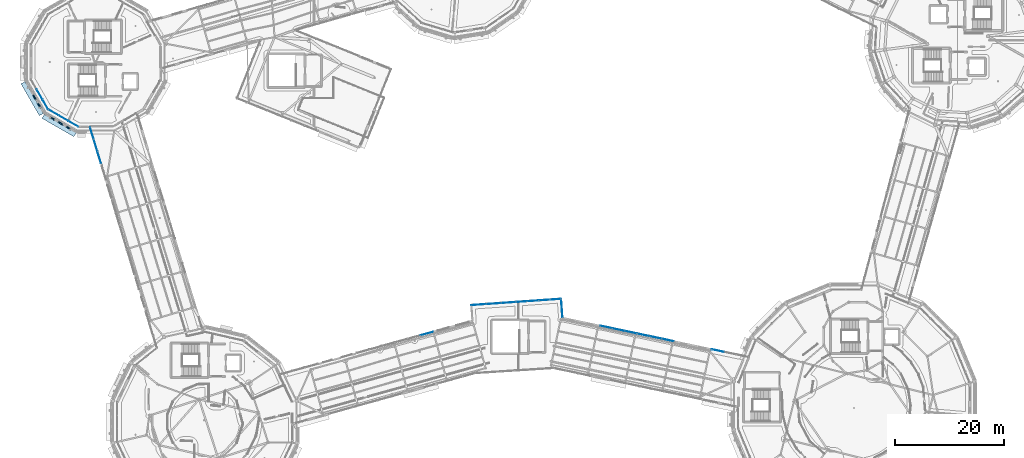
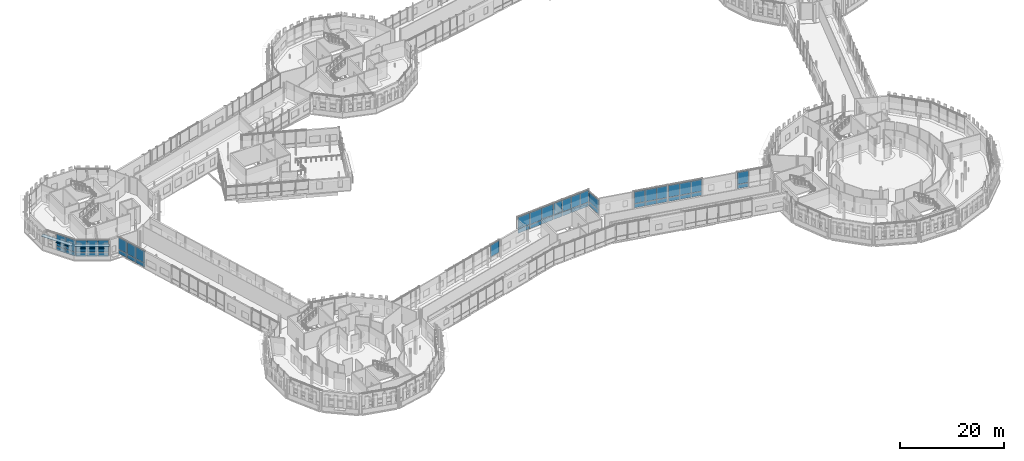
# One storey, part 73 of 125: 54 plates, 10 elements without a shape of their own.
"""IFC4 building model written with IfcOpenShell, lengths in metres."""

import ifcopenshell
import ifcopenshell.guid

model = None  # the IFC model being written
_history = None  # IfcOwnerHistory: only IFC2X3 demands one
_inside = {}  # id of a spatial element -> (the spatial element, [elements in it])
_under = {}  # id of a project, library or spatial element -> (it, [spatial elements below it])
_declared = {}  # id of a project -> (the project, [libraries it declares])
_typed = {}  # id of a type object -> (the type object, [elements of that type])
_made_of = {}  # id of a material, layer set ... -> (it, [elements and type objects made of it])


def new_model(schema):
    """Start an empty IFC model of exactly this schema.

    Asked for "IFC4X3", IfcOpenShell would pick the latest addendum, in which some entities
    have other attributes; the version numbers below select the first issue.
    IFC2X3 requires an IfcOwnerHistory on every rooted entity: one is made here for all.
    """
    global model, _history
    if schema == "IFC4X3":
        model = ifcopenshell.file(schema_version=(4, 3, 0, 0))
    else:
        model = ifcopenshell.file(schema=schema)
    _inside.clear()
    _under.clear()
    _declared.clear()
    _typed.clear()
    _made_of.clear()
    _history = None
    if model.schema == "IFC2X3":
        org = make("IfcOrganization", Name="unknown")
        user = make(
            "IfcPersonAndOrganization",
            ThePerson=make("IfcPerson", FamilyName="unknown"),
            TheOrganization=org,
        )
        app = make(
            "IfcApplication",
            ApplicationDeveloper=org,
            Version="unknown",
            ApplicationFullName="unknown",
            ApplicationIdentifier="unknown",
        )
        _history = make(
            "IfcOwnerHistory",
            OwningUser=user,
            OwningApplication=app,
            ChangeAction="ADDED",
            CreationDate=0,
        )
    return model


def make(cls, **values):
    """One entity of the class cls with the attributes given. An attribute that is None is left unset."""
    return model.create_entity(
        cls, **{name: value for name, value in values.items() if value is not None}
    )


def rooted(cls, **values):
    """An entity with a GlobalId (a new one), such as an element, a storey or a relation."""
    return make(cls, GlobalId=ifcopenshell.guid.new(), OwnerHistory=_history, **values)


def si_unit(unit_type, name, prefix=None):
    """IfcSIUnit, for example si_unit("LENGTHUNIT", "METRE", prefix="MILLI")."""
    return make("IfcSIUnit", UnitType=unit_type, Prefix=prefix, Name=name)


def assignment(units):
    """IfcUnitAssignment: the units of a project."""
    return None if units is None else make("IfcUnitAssignment", Units=units)


def point(xyz):
    """IfcCartesianPoint."""
    return None if xyz is None else make("IfcCartesianPoint", Coordinates=xyz)


def direction(xyz):
    """IfcDirection."""
    return None if xyz is None else make("IfcDirection", DirectionRatios=xyz)


def frame(location, z_axis=None, x_axis=None):
    """IfcAxis2Placement3D, a coordinate frame: its origin and axes. An axis left out is left unset."""
    return make(
        "IfcAxis2Placement3D",
        Location=point(location),
        Axis=direction(z_axis),
        RefDirection=direction(x_axis),
    )


def frame_2d(location, x_axis=None):
    """IfcAxis2Placement2D, a coordinate frame in the plane: its origin and x axis."""
    return make(
        "IfcAxis2Placement2D", Location=point(location), RefDirection=direction(x_axis)
    )


def origin():
    """The frame at (0, 0, 0) with its axes left unset."""
    return frame((0.0, 0.0, 0.0))


def origin_2d():
    """The frame at (0, 0) in the plane with its x axis left unset."""
    return frame_2d((0.0, 0.0))


def place(relative_to, where):
    """IfcLocalPlacement: puts the frame where relative to a parent placement (None: the world)."""
    return make(
        "IfcLocalPlacement", PlacementRelTo=relative_to, RelativePlacement=where
    )


def context(
    kind, dimensions, precision=None, world=None, true_north=None, identifier=None
):
    """IfcGeometricRepresentationContext, for example the 3D "Model" context."""
    return make(
        "IfcGeometricRepresentationContext",
        ContextIdentifier=identifier,
        ContextType=kind,
        CoordinateSpaceDimension=dimensions,
        Precision=precision,
        WorldCoordinateSystem=world,
        TrueNorth=true_north,
    )


def subcontext(parent, identifier, kind, view, scale=None):
    """IfcGeometricRepresentationSubContext, for example "Body" below "Model"."""
    return make(
        "IfcGeometricRepresentationSubContext",
        ContextIdentifier=identifier,
        ContextType=kind,
        ParentContext=parent,
        TargetScale=scale,
        TargetView=view,
    )


def project(units=None, contexts=None):
    """IfcProject with its units and contexts."""
    return rooted(
        "IfcProject",
        Name="project",
        RepresentationContexts=contexts,
        UnitsInContext=assignment(units),
    )


def spatial(cls, under=None, at=None, **own):
    """A site, building, storey or space (cls), placed at a placement, below another one or the project."""
    s = rooted(cls, ObjectPlacement=at, **own)
    if under is not None:
        _under.setdefault(under.id(), (under, []))[1].append(s)
    return s


def profile(cls, at=None, kind="AREA", **sizes):
    """A parametric profile (cls). Its sizes go by their IFC names, for example OverallWidth=200.0."""
    return make(cls, ProfileType=kind, Position=at, **sizes)


def rectangle(**sizes):
    """IfcRectangleProfileDef."""
    return profile("IfcRectangleProfileDef", **sizes)


def extrude(swept, where, along, depth):
    """IfcExtrudedAreaSolid: the profile swept, set in the frame where, extruded along a direction by depth."""
    return make(
        "IfcExtrudedAreaSolid",
        SweptArea=swept,
        Position=where,
        ExtrudedDirection=direction(along),
        Depth=depth,
    )


def shape(context_of_items, identifier, shape_type, items):
    """IfcShapeRepresentation: the items that make up one representation, for example the "Body"."""
    return make(
        "IfcShapeRepresentation",
        ContextOfItems=context_of_items,
        RepresentationIdentifier=identifier,
        RepresentationType=shape_type,
        Items=items,
    )


def material(Name=None, Category=None):
    """IfcMaterial."""
    return make("IfcMaterial", Name=Name, Category=Category)


def layer(
    of_material, thickness, ventilated=None, Name=None, Category=None, Priority=None
):
    """IfcMaterialLayer: one layer of a wall or slab, of a material (None: an air gap)."""
    return make(
        "IfcMaterialLayer",
        Material=of_material,
        LayerThickness=thickness,
        IsVentilated=ventilated,
        Name=Name,
        Category=Category,
        Priority=Priority,
    )


def layer_set(layers, Name=None):
    """IfcMaterialLayerSet."""
    return make("IfcMaterialLayerSet", MaterialLayers=layers, LayerSetName=Name)


def made_of(thing, what):
    """Note that an element or type object is made of a material, layer set ...; save() writes the relation."""
    if what is not None:
        _made_of.setdefault(what.id(), (what, []))[1].append(thing)
    return thing


def type_object(cls, material=None, **own):
    """A type object (cls), such as IfcWallType, which elements share."""
    return made_of(rooted(cls, **own), material)


def element(
    cls,
    number,
    at=None,
    inside=None,
    cuts=None,
    type_object=None,
    material=None,
    context=None,
    identifier="Body",
    shape_type=None,
    held_by="IfcProductDefinitionShape",
    body=None,
    shapes=None,
    **own,
):
    """One element of the class cls, such as IfcWall. Its Tag is "e" and its number.

    at: its placement. inside: the storey or other place that contains it. cuts: it is an
    opening in that element (IfcRelVoidsElement). A single representation is given by context,
    identifier, shape_type and body (its items); several are given by shapes. held_by: the class
    of the entity that holds the representations. save() writes the other relations.
    """
    e = rooted(cls, Tag="e%d" % number, ObjectPlacement=at, **own)
    if body is not None:
        shapes = [shape(context, identifier, shape_type, body)]
    if shapes is not None:
        e.Representation = make(held_by, Representations=shapes)
    if inside is not None:
        _inside.setdefault(inside.id(), (inside, []))[1].append(e)
    if cuts is not None:
        rooted(
            "IfcRelVoidsElement", RelatingBuildingElement=cuts, RelatedOpeningElement=e
        )
    if type_object is not None:
        _typed.setdefault(type_object.id(), (type_object, []))[1].append(e)
    return made_of(e, material)


def aggregate(whole, parts):
    """IfcRelAggregates: a whole, such as a stair, and the parts it consists of."""
    return rooted("IfcRelAggregates", RelatingObject=whole, RelatedObjects=parts)


def save(model, path):
    """Write the relations noted so far, then the file.

    IfcRelAggregates (storeys below a building ...), IfcRelContainedInSpatialStructure (elements
    in a storey), IfcRelDefinesByType, IfcRelAssociatesMaterial and IfcRelDeclares: one each for
    every whole, place, type object, material and project.
    """
    for whole, parts in _under.values():
        aggregate(whole, parts)
    for where, things in _inside.values():
        rooted(
            "IfcRelContainedInSpatialStructure",
            RelatedElements=things,
            RelatingStructure=where,
        )
    for kind, things in _typed.values():
        rooted("IfcRelDefinesByType", RelatedObjects=things, RelatingType=kind)
    for what, things in _made_of.values():
        rooted("IfcRelAssociatesMaterial", RelatedObjects=things, RelatingMaterial=what)
    for by, libraries in _declared.values():
        rooted("IfcRelDeclares", RelatingContext=by, RelatedDefinitions=libraries)
    model.write(path)


model = new_model("IFC4")

# Units and contexts
model_context = context("Model", 3, precision=1e-05, world=origin(), true_north=direction((0.0, 1.0)))
body_context = subcontext(model_context, "Body", "Model", "MODEL_VIEW")
ifc_project = project(units=[si_unit("LENGTHUNIT", "METRE"), si_unit("AREAUNIT", "SQUARE_METRE"), si_unit("VOLUMEUNIT", "CUBIC_METRE"), si_unit("PLANEANGLEUNIT", "RADIAN"), si_unit("MASSUNIT", "GRAM", prefix="KILO")], contexts=[model_context])

# Site, building, storey
site_placement = place(None, origin())
site = spatial("IfcSite", under=ifc_project, at=site_placement, CompositionType="ELEMENT")
building_placement = place(site_placement, origin())
building = spatial("IfcBuilding", under=site, at=building_placement, Name="Wrenclough Park School", CompositionType="ELEMENT")
storey_placement = place(building_placement, frame((0.0, 0.0, 4.199951171875)))
storey = spatial("IfcBuildingStorey", under=building, at=storey_placement, Name="L01", CompositionType="ELEMENT", Elevation=4.199951171875)

# Curtain wall, plates
ifc_material_1 = material(Name="Thermally broken aluminium and low-e glass curtain wall", Category="aluminium")
curtain_wall_type_1 = type_object("IfcCurtainWallType", Name="ENV-CW-13", PredefinedType="USERDEFINED", material=ifc_material_1)
curtain_wall_1_placement = place(storey_placement, origin())
curtain_wall_1 = element("IfcCurtainWall", 1, at=curtain_wall_1_placement, inside=storey, type_object=curtain_wall_type_1, Name="L01 recessed curtain wall assembly 092", ObjectType="CURTAIN WALL", PredefinedType="USERDEFINED")
ifc_material_2 = material(Name="Double-glazed solar-control low-e glass", Category="glass")
ifc_layer_1 = layer(ifc_material_2, 0.02587890625)
ifc_layer_set_1 = layer_set([ifc_layer_1], Name="Double-glazed solar-control low-e glass")
plate_type_1 = type_object("IfcPlateType", Name="ENV-CWP-GL26", PredefinedType="CURTAIN_PANEL", material=ifc_layer_set_1)
plate_1_placement = place(storey_placement, frame((17.127685546875, 71.98095703125, 0.06982421875), z_axis=(0.0, 0.0, 1.0), x_axis=(-0.289988117032, 0.957030246116, 0.0)))
plate_1 = element("IfcPlate", 2, at=plate_1_placement, type_object=plate_type_1, Name="CW-13 panel 1.1", PredefinedType="CURTAIN_PANEL", context=body_context, shape_type="SweptSolid", body=[
    extrude(rectangle(XDim=2.24658203125, YDim=0.02587890625, at=origin_2d()), origin(), (0.0, 0.0, 1.0), 0.945068359375),
])
plate_2_placement = place(storey_placement, frame((17.127685546875, 71.98095703125, 1.0849609375), z_axis=(0.0, 0.0, 1.0), x_axis=(-0.289988117032, 0.957030246116, 0.0)))
plate_2 = element("IfcPlate", 3, at=plate_2_placement, type_object=plate_type_1, Name="CW-13 panel 1.2", PredefinedType="CURTAIN_PANEL", context=body_context, shape_type="SweptSolid", body=[
    extrude(rectangle(XDim=2.24658203125, YDim=0.02587890625, at=origin_2d()), origin(), (0.0, 0.0, 1.0), 2.784912109375),
])
plate_3_placement = place(storey_placement, frame((16.45068359375, 74.21484375, 0.06982421875), z_axis=(0.0, 0.0, 1.0), x_axis=(-0.289988117032, 0.957030246116, 0.0)))
plate_3 = element("IfcPlate", 4, at=plate_3_placement, type_object=plate_type_1, Name="CW-13 panel 2.1", PredefinedType="CURTAIN_PANEL", context=body_context, shape_type="SweptSolid", body=[
    extrude(rectangle(XDim=2.281494140625, YDim=0.02587890625, at=origin_2d()), origin(), (0.0, 0.0, 1.0), 0.945068359375),
])
plate_4_placement = place(storey_placement, frame((16.45068359375, 74.21484375, 1.0849609375), z_axis=(0.0, 0.0, 1.0), x_axis=(-0.289988117032, 0.957030246116, 0.0)))
plate_4 = element("IfcPlate", 5, at=plate_4_placement, type_object=plate_type_1, Name="CW-13 panel 2.2", PredefinedType="CURTAIN_PANEL", context=body_context, shape_type="SweptSolid", body=[
    extrude(rectangle(XDim=2.281494140625, YDim=0.02587890625, at=origin_2d()), origin(), (0.0, 0.0, 1.0), 2.784912109375),
])
plate_5_placement = place(storey_placement, frame((15.77392578125, 76.448486328125, 0.06982421875), z_axis=(0.0, 0.0, 1.0), x_axis=(-0.289988117032, 0.957030246116, 0.0)))
plate_5 = element("IfcPlate", 6, at=plate_5_placement, type_object=plate_type_1, Name="CW-13 panel 3.1", PredefinedType="CURTAIN_PANEL", context=body_context, shape_type="SweptSolid", body=[
    extrude(rectangle(XDim=2.24658203125, YDim=0.02587890625, at=origin_2d()), origin(), (0.0, 0.0, 1.0), 0.945068359375),
])
plate_6_placement = place(storey_placement, frame((15.77392578125, 76.448486328125, 1.0849609375), z_axis=(0.0, 0.0, 1.0), x_axis=(-0.289988117032, 0.957030246116, 0.0)))
plate_6 = element("IfcPlate", 7, at=plate_6_placement, type_object=plate_type_1, Name="CW-13 panel 3.2", PredefinedType="CURTAIN_PANEL", context=body_context, shape_type="SweptSolid", body=[
    extrude(rectangle(XDim=2.24658203125, YDim=0.02587890625, at=origin_2d()), origin(), (0.0, 0.0, 1.0), 2.784912109375),
])
aggregate(curtain_wall_1, [plate_1, plate_2, plate_3, plate_4, plate_5, plate_6])

# Curtain wall, plate
curtain_wall_type_2 = type_object("IfcCurtainWallType", Name="ENV-CW-01", PredefinedType="USERDEFINED", material=ifc_material_1)
curtain_wall_2_placement = place(storey_placement, origin())
curtain_wall_2 = element("IfcCurtainWall", 8, at=curtain_wall_2_placement, inside=storey, type_object=curtain_wall_type_2, Name="L01 recessed curtain wall assembly 144", ObjectType="CURTAIN WALL", PredefinedType="USERDEFINED")
plate_7_placement = place(storey_placement, frame((77.240234375, 39.6943359375, 1.080078125), z_axis=(0.0, 0.0, 1.0), x_axis=(0.963396230426, 0.268081523423, 0.0)))
plate_7 = element("IfcPlate", 9, at=plate_7_placement, type_object=plate_type_1, Name="CW-01 panel 3.2", PredefinedType="CURTAIN_PANEL", context=body_context, shape_type="SweptSolid", body=[
    extrude(rectangle(XDim=2.353271484375, YDim=0.02587890625, at=origin_2d()), origin(), (0.0, 0.0, 1.0), 2.800048828125),
])
aggregate(curtain_wall_2, [plate_7])

# Curtain wall, plates
curtain_wall_type_3 = type_object("IfcCurtainWallType", Name="ENV-CW-05", PredefinedType="USERDEFINED", material=ifc_material_1)
curtain_wall_3_placement = place(storey_placement, origin())
curtain_wall_3 = element("IfcCurtainWall", 10, at=curtain_wall_3_placement, inside=storey, type_object=curtain_wall_type_3, Name="L01 recessed curtain wall assembly 148", ObjectType="CURTAIN WALL", PredefinedType="USERDEFINED")
plate_8_placement = place(storey_placement, frame((110.0498046875, 40.890625, 0.06494140625), z_axis=(0.0, 0.0, 1.0), x_axis=(0.978379013086, -0.206819986347, 0.0)))
plate_8 = element("IfcPlate", 11, at=plate_8_placement, type_object=plate_type_1, Name="CW-05 panel 1.1", PredefinedType="CURTAIN_PANEL", context=body_context, shape_type="SweptSolid", body=[
    extrude(rectangle(XDim=2.2265625, YDim=0.02587890625, at=origin_2d()), origin(), (0.0, 0.0, 1.0), 0.952392578125),
])
plate_9_placement = place(storey_placement, frame((110.0498046875, 40.890625, 1.08251953125), z_axis=(0.0, 0.0, 1.0), x_axis=(0.978379013086, -0.206819986347, 0.0)))
plate_9 = element("IfcPlate", 12, at=plate_9_placement, type_object=plate_type_1, Name="CW-05 panel 1.2", PredefinedType="CURTAIN_PANEL", context=body_context, shape_type="SweptSolid", body=[
    extrude(rectangle(XDim=2.2265625, YDim=0.02587890625, at=origin_2d()), origin(), (0.0, 0.0, 1.0), 2.79248046875),
])
plate_10_placement = place(storey_placement, frame((112.307861328125, 40.413330078125, 0.06494140625), z_axis=(0.0, 0.0, 1.0), x_axis=(0.978379013086, -0.206819986347, 0.0)))
plate_10 = element("IfcPlate", 13, at=plate_10_placement, type_object=plate_type_1, Name="CW-05 panel 2.1", PredefinedType="CURTAIN_PANEL", context=body_context, shape_type="SweptSolid", body=[
    extrude(rectangle(XDim=2.259033203125, YDim=0.02587890625, at=origin_2d()), origin(), (0.0, 0.0, 1.0), 0.952392578125),
])
plate_11_placement = place(storey_placement, frame((112.307861328125, 40.413330078125, 1.08251953125), z_axis=(0.0, 0.0, 1.0), x_axis=(0.978379013086, -0.206819986347, 0.0)))
plate_11 = element("IfcPlate", 14, at=plate_11_placement, type_object=plate_type_1, Name="CW-05 panel 2.2", PredefinedType="CURTAIN_PANEL", context=body_context, shape_type="SweptSolid", body=[
    extrude(rectangle(XDim=2.259033203125, YDim=0.02587890625, at=origin_2d()), origin(), (0.0, 0.0, 1.0), 2.79248046875),
])
plate_12_placement = place(storey_placement, frame((114.565673828125, 39.93603515625, 0.06494140625), z_axis=(0.0, 0.0, 1.0), x_axis=(0.978379013086, -0.206819986347, 0.0)))
plate_12 = element("IfcPlate", 15, at=plate_12_placement, type_object=plate_type_1, Name="CW-05 panel 3.1", PredefinedType="CURTAIN_PANEL", context=body_context, shape_type="SweptSolid", body=[
    extrude(rectangle(XDim=2.2265625, YDim=0.02587890625, at=origin_2d()), origin(), (0.0, 0.0, 1.0), 0.952392578125),
])
plate_13_placement = place(storey_placement, frame((114.565673828125, 39.93603515625, 1.08251953125), z_axis=(0.0, 0.0, 1.0), x_axis=(0.978379013086, -0.206819986347, 0.0)))
plate_13 = element("IfcPlate", 16, at=plate_13_placement, type_object=plate_type_1, Name="CW-05 panel 3.2", PredefinedType="CURTAIN_PANEL", context=body_context, shape_type="SweptSolid", body=[
    extrude(rectangle(XDim=2.2265625, YDim=0.02587890625, at=origin_2d()), origin(), (0.0, 0.0, 1.0), 2.79248046875),
])
aggregate(curtain_wall_3, [plate_8, plate_9, plate_10, plate_11, plate_12, plate_13])

curtain_wall_type_4 = type_object("IfcCurtainWallType", Name="ENV-CW-02", PredefinedType="USERDEFINED", material=ifc_material_1)
curtain_wall_4_placement = place(storey_placement, origin())
curtain_wall_4 = element("IfcCurtainWall", 17, at=curtain_wall_4_placement, inside=storey, type_object=curtain_wall_type_4, Name="L01 recessed curtain wall assembly 145", ObjectType="CURTAIN WALL", PredefinedType="USERDEFINED")
ifc_material_3 = material(Name="Double-glazed acoustic low-e glass", Category="glass")
ifc_layer_2 = layer(ifc_material_3, 0.030029296875)
ifc_layer_set_2 = layer_set([ifc_layer_2], Name="Double-glazed acoustic low-e glass")
plate_type_2 = type_object("IfcPlateType", Name="ENV-CWP-GL30", PredefinedType="CURTAIN_PANEL", material=ifc_layer_set_2)
plate_14_placement = place(storey_placement, frame((86.697509765625, 44.98486328125, 0.06494140625), z_axis=(0.0, 0.0, 1.0), x_axis=(0.997565077022, 0.069741788808, 0.0)))
plate_14 = element("IfcPlate", 18, at=plate_14_placement, type_object=plate_type_2, Name="CW-02 panel 1.1", PredefinedType="CURTAIN_PANEL", context=body_context, shape_type="SweptSolid", body=[
    extrude(rectangle(XDim=2.659912109375, YDim=0.030029296875, at=origin_2d()), origin(), (0.0, 0.0, 1.0), 0.952392578125),
])
plate_15_placement = place(storey_placement, frame((86.697509765625, 44.98486328125, 1.08251953125), z_axis=(0.0, 0.0, 1.0), x_axis=(0.997565077022, 0.069741788808, 0.0)))
plate_15 = element("IfcPlate", 19, at=plate_15_placement, type_object=plate_type_2, Name="CW-02 panel 1.2", PredefinedType="CURTAIN_PANEL", context=body_context, shape_type="SweptSolid", body=[
    extrude(rectangle(XDim=2.659912109375, YDim=0.030029296875, at=origin_2d()), origin(), (0.0, 0.0, 1.0), 2.79248046875),
])
plate_16_placement = place(storey_placement, frame((89.431884765625, 45.176025390625, 0.06494140625), z_axis=(0.0, 0.0, 1.0), x_axis=(0.997565077022, 0.069741788808, 0.0)))
plate_16 = element("IfcPlate", 20, at=plate_16_placement, type_object=plate_type_2, Name="CW-02 panel 2.1", PredefinedType="CURTAIN_PANEL", context=body_context, shape_type="SweptSolid", body=[
    extrude(rectangle(XDim=2.6923828125, YDim=0.030029296875, at=origin_2d()), origin(), (0.0, 0.0, 1.0), 0.952392578125),
])
plate_17_placement = place(storey_placement, frame((89.431884765625, 45.176025390625, 1.08251953125), z_axis=(0.0, 0.0, 1.0), x_axis=(0.997565077022, 0.069741788808, 0.0)))
plate_17 = element("IfcPlate", 21, at=plate_17_placement, type_object=plate_type_2, Name="CW-02 panel 2.2", PredefinedType="CURTAIN_PANEL", context=body_context, shape_type="SweptSolid", body=[
    extrude(rectangle(XDim=2.6923828125, YDim=0.030029296875, at=origin_2d()), origin(), (0.0, 0.0, 1.0), 2.79248046875),
])
plate_18_placement = place(storey_placement, frame((92.16650390625, 45.3671875, 0.06494140625), z_axis=(0.0, 0.0, 1.0), x_axis=(0.997565077022, 0.069741788808, 0.0)))
plate_18 = element("IfcPlate", 22, at=plate_18_placement, type_object=plate_type_2, Name="CW-02 panel 3.1", PredefinedType="CURTAIN_PANEL", context=body_context, shape_type="SweptSolid", body=[
    extrude(rectangle(XDim=2.659912109375, YDim=0.030029296875, at=origin_2d()), origin(), (0.0, 0.0, 1.0), 0.952392578125),
])
plate_19_placement = place(storey_placement, frame((92.16650390625, 45.3671875, 1.08251953125), z_axis=(0.0, 0.0, 1.0), x_axis=(0.997565077022, 0.069741788808, 0.0)))
plate_19 = element("IfcPlate", 23, at=plate_19_placement, type_object=plate_type_2, Name="CW-02 panel 3.2", PredefinedType="CURTAIN_PANEL", context=body_context, shape_type="SweptSolid", body=[
    extrude(rectangle(XDim=2.659912109375, YDim=0.030029296875, at=origin_2d()), origin(), (0.0, 0.0, 1.0), 2.79248046875),
])
aggregate(curtain_wall_4, [plate_14, plate_15, plate_16, plate_17, plate_18, plate_19])

curtain_wall_type_5 = type_object("IfcCurtainWallType", Name="ENV-CW-03", PredefinedType="USERDEFINED", material=ifc_material_1)
curtain_wall_5_placement = place(storey_placement, origin())
curtain_wall_5 = element("IfcCurtainWall", 24, at=curtain_wall_5_placement, inside=storey, type_object=curtain_wall_type_5, Name="L01 recessed curtain wall assembly 146", ObjectType="CURTAIN WALL", PredefinedType="USERDEFINED")
ifc_material_4 = material(Name="Triple-glazed senior-lab low-e glass", Category="glass")
ifc_layer_3 = layer(ifc_material_4, 0.033935546875)
ifc_layer_set_3 = layer_set([ifc_layer_3], Name="Triple-glazed senior-lab low-e glass")
plate_type_3 = type_object("IfcPlateType", Name="ENV-CWP-GL34", PredefinedType="CURTAIN_PANEL", material=ifc_layer_set_3)
plate_20_placement = place(storey_placement, frame((94.61474609375, 45.538330078125, 0.06982421875), z_axis=(0.0, 0.0, 1.0), x_axis=(0.997564294709, 0.069752977869, 0.0)))
plate_20 = element("IfcPlate", 25, at=plate_20_placement, type_object=plate_type_3, Name="CW-03 panel 1.1", PredefinedType="CURTAIN_PANEL", context=body_context, shape_type="SweptSolid", body=[
    extrude(rectangle(XDim=1.962890625, YDim=0.033935546875, at=origin_2d()), origin(), (0.0, 0.0, 1.0), 0.945068359375),
])
plate_21_placement = place(storey_placement, frame((94.61474609375, 45.538330078125, 1.0849609375), z_axis=(0.0, 0.0, 1.0), x_axis=(0.997564294709, 0.069752977869, 0.0)))
plate_21 = element("IfcPlate", 26, at=plate_21_placement, type_object=plate_type_3, Name="CW-03 panel 1.2", PredefinedType="CURTAIN_PANEL", context=body_context, shape_type="SweptSolid", body=[
    extrude(rectangle(XDim=1.962890625, YDim=0.033935546875, at=origin_2d()), origin(), (0.0, 0.0, 1.0), 2.784912109375),
])
plate_22_placement = place(storey_placement, frame((96.660400390625, 45.681396484375, 0.06982421875), z_axis=(0.0, 0.0, 1.0), x_axis=(0.997564294709, 0.069752977869, 0.0)))
plate_22 = element("IfcPlate", 27, at=plate_22_placement, type_object=plate_type_3, Name="CW-03 panel 2.1", PredefinedType="CURTAIN_PANEL", context=body_context, shape_type="SweptSolid", body=[
    extrude(rectangle(XDim=1.998046875, YDim=0.033935546875, at=origin_2d()), origin(), (0.0, 0.0, 1.0), 0.945068359375),
])
plate_23_placement = place(storey_placement, frame((96.660400390625, 45.681396484375, 1.0849609375), z_axis=(0.0, 0.0, 1.0), x_axis=(0.997564294709, 0.069752977869, 0.0)))
plate_23 = element("IfcPlate", 28, at=plate_23_placement, type_object=plate_type_3, Name="CW-03 panel 2.2", PredefinedType="CURTAIN_PANEL", context=body_context, shape_type="SweptSolid", body=[
    extrude(rectangle(XDim=1.998046875, YDim=0.033935546875, at=origin_2d()), origin(), (0.0, 0.0, 1.0), 2.784912109375),
])
plate_24_placement = place(storey_placement, frame((98.723388671875, 45.82568359375, 0.06982421875), z_axis=(0.0, 0.0, 1.0), x_axis=(0.997564294709, 0.069752977869, 0.0)))
plate_24 = element("IfcPlate", 29, at=plate_24_placement, type_object=plate_type_3, Name="CW-03 panel 3.1", PredefinedType="CURTAIN_PANEL", context=body_context, shape_type="SweptSolid", body=[
    extrude(rectangle(XDim=1.998046875, YDim=0.033935546875, at=origin_2d()), origin(), (0.0, 0.0, 1.0), 0.945068359375),
])
plate_25_placement = place(storey_placement, frame((98.723388671875, 45.82568359375, 1.0849609375), z_axis=(0.0, 0.0, 1.0), x_axis=(0.997564294709, 0.069752977869, 0.0)))
plate_25 = element("IfcPlate", 30, at=plate_25_placement, type_object=plate_type_3, Name="CW-03 panel 3.2", PredefinedType="CURTAIN_PANEL", context=body_context, shape_type="SweptSolid", body=[
    extrude(rectangle(XDim=1.998046875, YDim=0.033935546875, at=origin_2d()), origin(), (0.0, 0.0, 1.0), 2.784912109375),
])
plate_26_placement = place(storey_placement, frame((100.768798828125, 45.96875, 0.06982421875), z_axis=(0.0, 0.0, 1.0), x_axis=(0.997564294709, 0.069752977869, 0.0)))
plate_26 = element("IfcPlate", 31, at=plate_26_placement, type_object=plate_type_3, Name="CW-03 panel 4.1", PredefinedType="CURTAIN_PANEL", context=body_context, shape_type="SweptSolid", body=[
    extrude(rectangle(XDim=1.962890625, YDim=0.033935546875, at=origin_2d()), origin(), (0.0, 0.0, 1.0), 0.945068359375),
])
plate_27_placement = place(storey_placement, frame((100.768798828125, 45.96875, 1.0849609375), z_axis=(0.0, 0.0, 1.0), x_axis=(0.997564294709, 0.069752977869, 0.0)))
plate_27 = element("IfcPlate", 32, at=plate_27_placement, type_object=plate_type_3, Name="CW-03 panel 4.2", PredefinedType="CURTAIN_PANEL", context=body_context, shape_type="SweptSolid", body=[
    extrude(rectangle(XDim=1.962890625, YDim=0.033935546875, at=origin_2d()), origin(), (0.0, 0.0, 1.0), 2.784912109375),
])
aggregate(curtain_wall_5, [plate_20, plate_21, plate_22, plate_23, plate_24, plate_25, plate_26, plate_27])

curtain_wall_type_6 = type_object("IfcCurtainWallType", Name="ENV-CW-04", PredefinedType="USERDEFINED", material=ifc_material_1)
curtain_wall_6_placement = place(storey_placement, origin())
curtain_wall_6 = element("IfcCurtainWall", 33, at=curtain_wall_6_placement, inside=storey, type_object=curtain_wall_type_6, Name="L01 recessed curtain wall assembly 147", ObjectType="CURTAIN WALL", PredefinedType="USERDEFINED")
ifc_material_5 = material(Name="Laminated sports-concourse safety glass", Category="glass")
ifc_layer_4 = layer(ifc_material_5, 0.0380859375)
ifc_layer_set_4 = layer_set([ifc_layer_4], Name="Laminated sports-concourse safety glass")
plate_type_4 = type_object("IfcPlateType", Name="ENV-CWP-GL38", PredefinedType="CURTAIN_PANEL", material=ifc_layer_set_4)
plate_28_placement = place(storey_placement, frame((101.94287109375, 44.310546875, 0.06005859375), z_axis=(0.0, 0.0, 1.0), x_axis=(0.069718523753, -0.997566703256, 0.0)))
plate_28 = element("IfcPlate", 34, at=plate_28_placement, type_object=plate_type_4, Name="CW-04 panel 1.1", PredefinedType="CURTAIN_PANEL", context=body_context, shape_type="SweptSolid", body=[
    extrude(rectangle(XDim=3.343994140625, YDim=0.0380859375, at=origin_2d()), origin(), (0.0, 0.0, 1.0), 0.9599609375),
])
plate_29_placement = place(storey_placement, frame((101.94287109375, 44.310546875, 1.080078125), z_axis=(0.0, 0.0, 1.0), x_axis=(0.069718523753, -0.997566703256, 0.0)))
plate_29 = element("IfcPlate", 35, at=plate_29_placement, type_object=plate_type_4, Name="CW-04 panel 1.2", PredefinedType="CURTAIN_PANEL", context=body_context, shape_type="SweptSolid", body=[
    extrude(rectangle(XDim=3.343994140625, YDim=0.0380859375, at=origin_2d()), origin(), (0.0, 0.0, 1.0), 2.27880859375),
])
aggregate(curtain_wall_6, [plate_28, plate_29])

curtain_wall_type_7 = type_object("IfcCurtainWallType", Name="ENV-CW-14", PredefinedType="USERDEFINED", material=ifc_material_1)
curtain_wall_7_placement = place(storey_placement, origin())
curtain_wall_7 = element("IfcCurtainWall", 36, at=curtain_wall_7_placement, inside=storey, type_object=curtain_wall_type_7, Name="L01 recessed curtain wall assembly 093", ObjectType="CURTAIN WALL", PredefinedType="USERDEFINED")
ifc_material_6 = material(Name="Insulated anodised aluminium spandrel panel", Category="aluminium")
ifc_layer_5 = layer(ifc_material_6, 0.0419921875)
ifc_layer_set_5 = layer_set([ifc_layer_5], Name="Insulated anodised aluminium spandrel panel")
plate_type_5 = type_object("IfcPlateType", Name="ENV-CWP-SP42", PredefinedType="CURTAIN_PANEL", material=ifc_layer_set_5)
plate_30_placement = place(storey_placement, frame((12.37353515625, 78.134765625, 0.06005859375), z_axis=(0.0, 0.0, 1.0), x_axis=(-0.86602591075, 0.499999121909, 0.0)))
plate_30 = element("IfcPlate", 37, at=plate_30_placement, type_object=plate_type_5, Name="CW-14 panel 1.1", PredefinedType="CURTAIN_PANEL", context=body_context, shape_type="SweptSolid", body=[
    extrude(rectangle(XDim=2.0341796875, YDim=0.0419921875, at=origin_2d()), origin(), (0.0, 0.0, 1.0), 0.9599609375),
])
plate_31_placement = place(storey_placement, frame((12.37353515625, 78.134765625, 1.080078125), z_axis=(0.0, 0.0, 1.0), x_axis=(-0.86602591075, 0.499999121909, 0.0)))
plate_31 = element("IfcPlate", 38, at=plate_31_placement, type_object=plate_type_5, Name="CW-14 panel 1.2", PredefinedType="CURTAIN_PANEL", context=body_context, shape_type="SweptSolid", body=[
    extrude(rectangle(XDim=2.0341796875, YDim=0.0419921875, at=origin_2d()), origin(), (0.0, 0.0, 1.0), 2.800048828125),
])
plate_32_placement = place(storey_placement, frame((10.547119140625, 79.189208984375, 0.06005859375), z_axis=(0.0, 0.0, 1.0), x_axis=(-0.86602591075, 0.499999121909, 0.0)))
plate_32 = element("IfcPlate", 39, at=plate_32_placement, type_object=plate_type_5, Name="CW-14 panel 2.1", PredefinedType="CURTAIN_PANEL", context=body_context, shape_type="SweptSolid", body=[
    extrude(rectangle(XDim=2.06396484375, YDim=0.0419921875, at=origin_2d()), origin(), (0.0, 0.0, 1.0), 0.9599609375),
])
plate_33_placement = place(storey_placement, frame((10.547119140625, 79.189208984375, 1.080078125), z_axis=(0.0, 0.0, 1.0), x_axis=(-0.86602591075, 0.499999121909, 0.0)))
plate_33 = element("IfcPlate", 40, at=plate_33_placement, type_object=plate_type_5, Name="CW-14 panel 2.2", PredefinedType="CURTAIN_PANEL", context=body_context, shape_type="SweptSolid", body=[
    extrude(rectangle(XDim=2.06396484375, YDim=0.0419921875, at=origin_2d()), origin(), (0.0, 0.0, 1.0), 2.800048828125),
])
plate_34_placement = place(storey_placement, frame((8.720458984375, 80.243896484375, 0.06005859375), z_axis=(0.0, 0.0, 1.0), x_axis=(-0.86602591075, 0.499999121909, 0.0)))
plate_34 = element("IfcPlate", 41, at=plate_34_placement, type_object=plate_type_5, Name="CW-14 panel 3.1", PredefinedType="CURTAIN_PANEL", context=body_context, shape_type="SweptSolid", body=[
    extrude(rectangle(XDim=2.0341796875, YDim=0.0419921875, at=origin_2d()), origin(), (0.0, 0.0, 1.0), 0.9599609375),
])
plate_35_placement = place(storey_placement, frame((8.720458984375, 80.243896484375, 1.080078125), z_axis=(0.0, 0.0, 1.0), x_axis=(-0.86602591075, 0.499999121909, 0.0)))
plate_35 = element("IfcPlate", 42, at=plate_35_placement, type_object=plate_type_5, Name="CW-14 panel 3.2", PredefinedType="CURTAIN_PANEL", context=body_context, shape_type="SweptSolid", body=[
    extrude(rectangle(XDim=2.0341796875, YDim=0.0419921875, at=origin_2d()), origin(), (0.0, 0.0, 1.0), 2.800048828125),
])
aggregate(curtain_wall_7, [plate_30, plate_31, plate_32, plate_33, plate_34, plate_35])

curtain_wall_type_8 = type_object("IfcCurtainWallType", Name="ENV-CW-06", PredefinedType="USERDEFINED", material=ifc_material_1)
curtain_wall_8_placement = place(storey_placement, origin())
curtain_wall_8 = element("IfcCurtainWall", 43, at=curtain_wall_8_placement, inside=storey, type_object=curtain_wall_type_8, Name="L01 recessed curtain wall assembly 149", ObjectType="CURTAIN WALL", PredefinedType="USERDEFINED")
plate_36_placement = place(storey_placement, frame((116.88037109375, 39.44677734375, 0.06982421875), z_axis=(0.0, 0.0, 1.0), x_axis=(0.978381915195, -0.206806257207, 0.0)))
plate_36 = element("IfcPlate", 44, at=plate_36_placement, type_object=plate_type_5, Name="CW-06 panel 1.1", PredefinedType="CURTAIN_PANEL", context=body_context, shape_type="SweptSolid", body=[
    extrude(rectangle(XDim=2.218994140625, YDim=0.0419921875, at=origin_2d()), origin(), (0.0, 0.0, 1.0), 0.945068359375),
])
plate_37_placement = place(storey_placement, frame((116.88037109375, 39.44677734375, 1.0849609375), z_axis=(0.0, 0.0, 1.0), x_axis=(0.978381915195, -0.206806257207, 0.0)))
plate_37 = element("IfcPlate", 45, at=plate_37_placement, type_object=plate_type_5, Name="CW-06 panel 1.2", PredefinedType="CURTAIN_PANEL", context=body_context, shape_type="SweptSolid", body=[
    extrude(rectangle(XDim=2.218994140625, YDim=0.0419921875, at=origin_2d()), origin(), (0.0, 0.0, 1.0), 2.784912109375),
])
plate_38_placement = place(storey_placement, frame((119.13720703125, 38.969970703125, 0.06982421875), z_axis=(0.0, 0.0, 1.0), x_axis=(0.978381915195, -0.206806257207, 0.0)))
plate_38 = element("IfcPlate", 46, at=plate_38_placement, type_object=plate_type_5, Name="CW-06 panel 2.1", PredefinedType="CURTAIN_PANEL", context=body_context, shape_type="SweptSolid", body=[
    extrude(rectangle(XDim=2.254150390625, YDim=0.0419921875, at=origin_2d()), origin(), (0.0, 0.0, 1.0), 0.945068359375),
])
plate_39_placement = place(storey_placement, frame((119.13720703125, 38.969970703125, 1.0849609375), z_axis=(0.0, 0.0, 1.0), x_axis=(0.978381915195, -0.206806257207, 0.0)))
plate_39 = element("IfcPlate", 47, at=plate_39_placement, type_object=plate_type_5, Name="CW-06 panel 2.2", PredefinedType="CURTAIN_PANEL", context=body_context, shape_type="SweptSolid", body=[
    extrude(rectangle(XDim=2.254150390625, YDim=0.0419921875, at=origin_2d()), origin(), (0.0, 0.0, 1.0), 2.784912109375),
])
plate_40_placement = place(storey_placement, frame((121.393798828125, 38.492919921875, 0.06982421875), z_axis=(0.0, 0.0, 1.0), x_axis=(0.978381915195, -0.206806257207, 0.0)))
plate_40 = element("IfcPlate", 48, at=plate_40_placement, type_object=plate_type_5, Name="CW-06 panel 3.1", PredefinedType="CURTAIN_PANEL", context=body_context, shape_type="SweptSolid", body=[
    extrude(rectangle(XDim=2.218994140625, YDim=0.0419921875, at=origin_2d()), origin(), (0.0, 0.0, 1.0), 0.945068359375),
])
plate_41_placement = place(storey_placement, frame((121.393798828125, 38.492919921875, 1.0849609375), z_axis=(0.0, 0.0, 1.0), x_axis=(0.978381915195, -0.206806257207, 0.0)))
plate_41 = element("IfcPlate", 49, at=plate_41_placement, type_object=plate_type_5, Name="CW-06 panel 3.2", PredefinedType="CURTAIN_PANEL", context=body_context, shape_type="SweptSolid", body=[
    extrude(rectangle(XDim=2.218994140625, YDim=0.0419921875, at=origin_2d()), origin(), (0.0, 0.0, 1.0), 2.784912109375),
])
aggregate(curtain_wall_8, [plate_36, plate_37, plate_38, plate_39, plate_40, plate_41])

curtain_wall_type_9 = type_object("IfcCurtainWallType", Name="ENV-CW-15", PredefinedType="USERDEFINED", material=ifc_material_1)
curtain_wall_9_placement = place(storey_placement, origin())
curtain_wall_9 = element("IfcCurtainWall", 50, at=curtain_wall_9_placement, inside=storey, type_object=curtain_wall_type_9, Name="L01 recessed curtain wall assembly 094", ObjectType="CURTAIN WALL", PredefinedType="USERDEFINED")
ifc_material_7 = material(Name="Insulated patinated copper-toned spandrel panel", Category="aluminium")
ifc_layer_6 = layer(ifc_material_7, 0.048095703125)
ifc_layer_set_6 = layer_set([ifc_layer_6], Name="Insulated patinated copper-toned spandrel panel")
plate_type_6 = type_object("IfcPlateType", Name="ENV-CWP-SP48", PredefinedType="CURTAIN_PANEL", material=ifc_layer_set_6)
plate_42_placement = place(storey_placement, frame((7.2431640625, 81.7216796875, 0.06494140625), z_axis=(0.0, 0.0, 1.0), x_axis=(-0.499999121909, 0.86602591075, 0.0)))
plate_42 = element("IfcPlate", 51, at=plate_42_placement, type_object=plate_type_6, Name="CW-15 panel 1.1", PredefinedType="CURTAIN_PANEL", context=body_context, shape_type="SweptSolid", body=[
    extrude(rectangle(XDim=2.026611328125, YDim=0.048095703125, at=origin_2d()), origin(), (0.0, 0.0, 1.0), 0.952392578125),
])
plate_43_placement = place(storey_placement, frame((7.2431640625, 81.7216796875, 1.08251953125), z_axis=(0.0, 0.0, 1.0), x_axis=(-0.499999121909, 0.86602591075, 0.0)))
plate_43 = element("IfcPlate", 52, at=plate_43_placement, type_object=plate_type_6, Name="CW-15 panel 1.2", PredefinedType="CURTAIN_PANEL", context=body_context, shape_type="SweptSolid", body=[
    extrude(rectangle(XDim=2.026611328125, YDim=0.048095703125, at=origin_2d()), origin(), (0.0, 0.0, 1.0), 2.79248046875),
])
plate_44_placement = place(storey_placement, frame((6.189208984375, 83.547119140625, 0.06494140625), z_axis=(0.0, 0.0, 1.0), x_axis=(-0.499999121909, 0.86602591075, 0.0)))
plate_44 = element("IfcPlate", 53, at=plate_44_placement, type_object=plate_type_6, Name="CW-15 panel 2.1", PredefinedType="CURTAIN_PANEL", context=body_context, shape_type="SweptSolid", body=[
    extrude(rectangle(XDim=2.05908203125, YDim=0.048095703125, at=origin_2d()), origin(), (0.0, 0.0, 1.0), 0.952392578125),
])
plate_45_placement = place(storey_placement, frame((6.189208984375, 83.547119140625, 1.08251953125), z_axis=(0.0, 0.0, 1.0), x_axis=(-0.499999121909, 0.86602591075, 0.0)))
plate_45 = element("IfcPlate", 54, at=plate_45_placement, type_object=plate_type_6, Name="CW-15 panel 2.2", PredefinedType="CURTAIN_PANEL", context=body_context, shape_type="SweptSolid", body=[
    extrude(rectangle(XDim=2.05908203125, YDim=0.048095703125, at=origin_2d()), origin(), (0.0, 0.0, 1.0), 2.79248046875),
])
aggregate(curtain_wall_9, [plate_42, plate_43, plate_44, plate_45])

curtain_wall_type_10 = type_object("IfcCurtainWallType", Name="ENV-CW-07", PredefinedType="USERDEFINED", material=ifc_material_1)
curtain_wall_10_placement = place(storey_placement, origin())
curtain_wall_10 = element("IfcCurtainWall", 55, at=curtain_wall_10_placement, inside=storey, type_object=curtain_wall_type_10, Name="L01 recessed curtain wall assembly 150", ObjectType="CURTAIN WALL", PredefinedType="USERDEFINED")
plate_46_placement = place(storey_placement, frame((130.53662109375, 36.560302734375, 0.06005859375), z_axis=(0.0, 0.0, 1.0), x_axis=(0.978379013086, -0.206819986347, 0.0)))
plate_46 = element("IfcPlate", 56, at=plate_46_placement, type_object=plate_type_6, Name="CW-07 panel 1.1", PredefinedType="CURTAIN_PANEL", context=body_context, shape_type="SweptSolid", body=[
    extrude(rectangle(XDim=2.234130859375, YDim=0.048095703125, at=origin_2d()), origin(), (0.0, 0.0, 1.0), 0.9599609375),
])
plate_47_placement = place(storey_placement, frame((130.53662109375, 36.560302734375, 1.080078125), z_axis=(0.0, 0.0, 1.0), x_axis=(0.978379013086, -0.206819986347, 0.0)))
plate_47 = element("IfcPlate", 57, at=plate_47_placement, type_object=plate_type_6, Name="CW-07 panel 1.2", PredefinedType="CURTAIN_PANEL", context=body_context, shape_type="SweptSolid", body=[
    extrude(rectangle(XDim=2.234130859375, YDim=0.048095703125, at=origin_2d()), origin(), (0.0, 0.0, 1.0), 2.800048828125),
])
aggregate(curtain_wall_10, [plate_46, plate_47])

# Plates
ifc_material_8 = material(Name="Anodised architectural aluminium solar shading fin plate", Category="aluminium")
ifc_layer_7 = layer(ifc_material_8, 0.0380859375)
ifc_layer_set_7 = layer_set([ifc_layer_7], Name="Anodised architectural aluminium solar shading fin plate")
plate_type_7 = type_object("IfcPlateType", Name="ENV-PL-BSF", PredefinedType="SHEET", material=ifc_layer_set_7)
for number, where, z_axis, x_axis, name in (
    (58, (5.279296875, 83.021728515625, 2.72216796875), (0.0, 0.0, 1.0), (0.499990505441, -0.866030885401, 0.0), "D3 L01 open-bond brick screen tie band 0221"),
    (59, (6.1591796875, 81.49755859375, 2.72216796875), (0.0, 0.0, 1.0), (0.499990505441, -0.866030885401, 0.0), "D3 L01 open-bond brick screen tie band 0222"),
):
    element("IfcPlate", number, at=place(storey_placement, frame(where, z_axis=z_axis, x_axis=x_axis)), inside=storey, type_object=plate_type_7, Name=name, PredefinedType="SHEET", context=body_context, shape_type="SweptSolid", body=[
        extrude(rectangle(XDim=1.071044921875, YDim=0.219970703125, at=origin_2d()), origin(), (0.0, 0.0, 1.0), 0.0419921875),
    ])
plate_48_placement = place(storey_placement, frame((4.8310546875, 82.762939453125, 3.700927734375), z_axis=(0.0, 0.0, 1.0), x_axis=(0.499990505441, -0.866030885401, 0.0)))
element("IfcPlate", 60, at=plate_48_placement, inside=storey, type_object=plate_type_7, Name="D3 L01 sun-side projecting brise-soleil blade 0022", PredefinedType="SHEET", context=body_context, shape_type="SweptSolid", body=[
    extrude(rectangle(XDim=6.739990234375, YDim=0.85009765625, at=origin_2d()), origin(), (0.0, 0.0, 1.0), 0.0380859375),
])
for number, where, z_axis, x_axis, name in (
    (61, (8.49755859375, 79.1591796875, 2.72216796875), (0.0, 0.0, 1.0), (0.866030885401, -0.499990505441, 0.0), "D3 L01 open-bond brick screen tie band 0223"),
    (62, (10.021728515625, 78.279296875, 2.72216796875), (0.0, 0.0, 1.0), (0.866030885401, -0.499990505441, 0.0), "D3 L01 open-bond brick screen tie band 0224"),
    (63, (11.5458984375, 77.399169921875, 2.72216796875), (0.0, 0.0, 1.0), (0.866030885401, -0.499990505441, 0.0), "D3 L01 open-bond brick screen tie band 0225"),
):
    element("IfcPlate", number, at=place(storey_placement, frame(where, z_axis=z_axis, x_axis=x_axis)), inside=storey, type_object=plate_type_7, Name=name, PredefinedType="SHEET", context=body_context, shape_type="SweptSolid", body=[
        extrude(rectangle(XDim=1.071044921875, YDim=0.219970703125, at=origin_2d()), origin(), (0.0, 0.0, 1.0), 0.0419921875),
    ])
plate_49_placement = place(storey_placement, frame((9.762939453125, 77.8310546875, 3.700927734375), z_axis=(0.0, 0.0, 1.0), x_axis=(0.866030885401, -0.499990505441, 0.0)))
element("IfcPlate", 64, at=plate_49_placement, inside=storey, type_object=plate_type_7, Name="D3 L01 sun-side projecting brise-soleil blade 0023", PredefinedType="SHEET", context=body_context, shape_type="SweptSolid", body=[
    extrude(rectangle(XDim=6.739990234375, YDim=0.85009765625, at=origin_2d()), origin(), (0.0, 0.0, 1.0), 0.0380859375),
])

save(model, "model.ifc")
